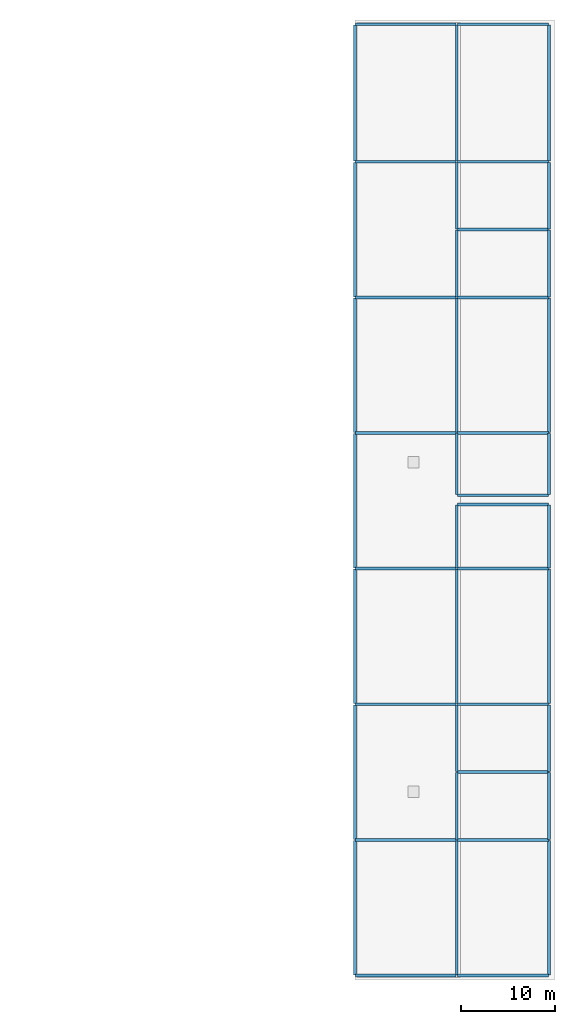
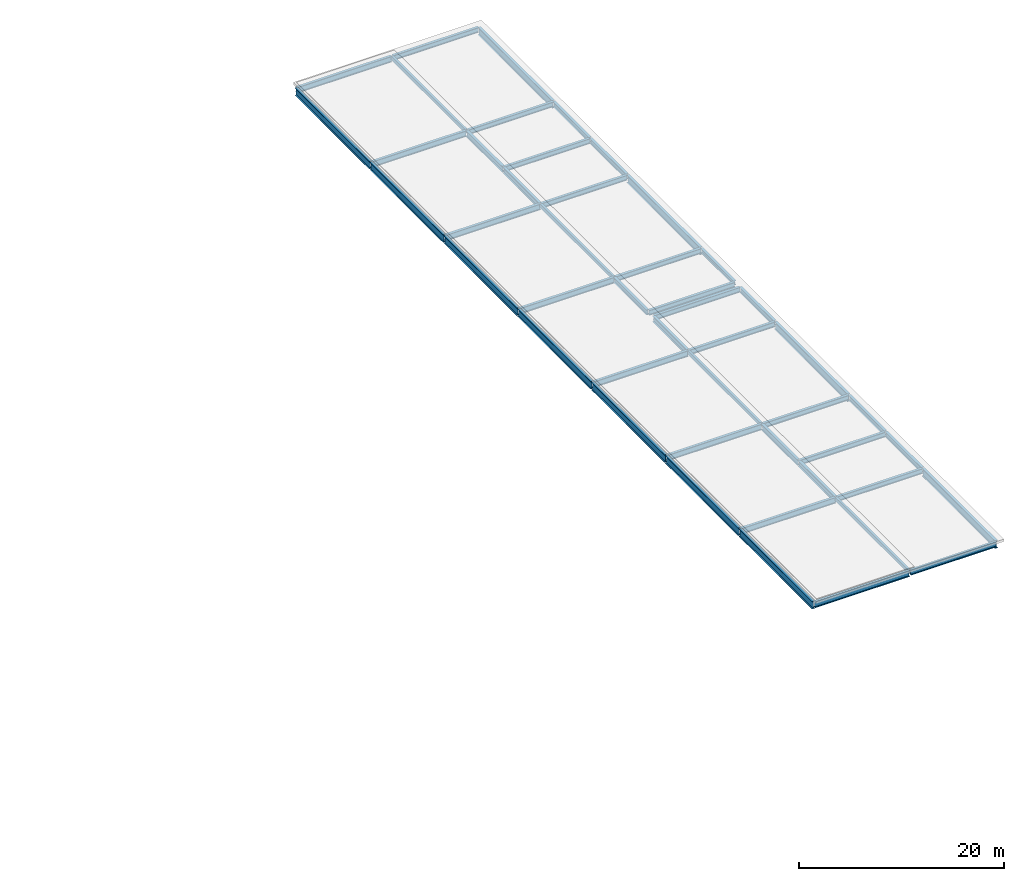
# One storey, part 8 of 19: 47 beams.
"""IFC4 building model written with IfcOpenShell, lengths in metres."""

from ifc_helpers import new_model, si_unit, direction, frame, origin, origin_2d, place, context, subcontext, project, spatial, hollow_rectangle, i_section, extrude, material, material_profile, profile_set, type_object, element, save


model = new_model("IFC4")

# Units and contexts
model_context = context("Model", 3, precision=1e-05, world=origin(), true_north=direction((0.0, 1.0)))
body_context = subcontext(model_context, "Body", "Model", "MODEL_VIEW")
ifc_project = project(units=[si_unit("LENGTHUNIT", "METRE"), si_unit("AREAUNIT", "SQUARE_METRE"), si_unit("VOLUMEUNIT", "CUBIC_METRE"), si_unit("PLANEANGLEUNIT", "RADIAN"), si_unit("MASSUNIT", "GRAM", prefix="KILO")], contexts=[model_context])

# Site, building, storey
site_placement = place(None, origin())
site = spatial("IfcSite", under=ifc_project, at=site_placement, CompositionType="ELEMENT")
building_placement = place(site_placement, origin())
building = spatial("IfcBuilding", under=site, at=building_placement, Name="Koshinbarg Plaza Stadium", CompositionType="ELEMENT")
storey_placement = place(building_placement, frame((0.0, 0.0, 29.39990234375)))
storey = spatial("IfcBuildingStorey", under=building, at=storey_placement, Name="L06", CompositionType="ELEMENT", Elevation=29.39990234375)

# Beams
ifc_material = material(Name="Steel S355", Category="steel")
ifc_material_profile_1 = material_profile(ifc_material, i_section(OverallWidth=0.300048828125, OverallDepth=0.5, WebThickness=0.014404296875, FlangeThickness=0.028076171875, at=origin_2d()), Name="HEB 500")
ifc_profile_set_1 = profile_set([ifc_material_profile_1], Name="Steel S355")
beam_type_1 = type_object("IfcBeamType", Name="BM-SGIR-01", PredefinedType="USERDEFINED", material=ifc_profile_set_1)
beam_1_placement = place(storey_placement, frame((218.39990234375, 76.56005859375, -0.5498046875), z_axis=(0.0, 1.0, 0.0), x_axis=(-1.0, 0.0, 0.0)))
element("IfcBeam", 1, at=beam_1_placement, inside=storey, type_object=beam_type_1, Name="L06 Y girder 21/L-M", ObjectType="GIRDER", PredefinedType="USERDEFINED", context=body_context, shape_type="SweptSolid", body=[
    extrude(i_section(OverallWidth=0.300048828125, OverallDepth=0.5, WebThickness=0.014404296875, FlangeThickness=0.028076171875, at=origin_2d()), origin(), (0.0, 0.0, 1.0), 6.47998046875),
])
ifc_material_profile_2 = material_profile(ifc_material, i_section(OverallWidth=0.300048828125, OverallDepth=0.60009765625, WebThickness=0.015380859375, FlangeThickness=0.030029296875, at=origin_2d()), Name="HEB 600")
ifc_profile_set_2 = profile_set([ifc_material_profile_2], Name="Steel S355")
beam_type_2 = type_object("IfcBeamType", Name="BM-SGIR-02", PredefinedType="USERDEFINED", material=ifc_profile_set_2)
for number, where, z_axis, x_axis, name in (
    (2, (208.659912109375, 25.5, -0.599853515625), (1.0, 0.0, 0.0), (0.0, 1.0, 0.0), "L06 X girder E/20-21"),
    (3, (208.659912109375, 39.89990234375, -0.599853515625), (1.0, 0.0, 0.0), (0.0, 1.0, 0.0), "L06 X girder F/20-21"),
    (4, (208.659912109375, 47.10009765625, -0.599853515625), (1.0, 0.0, 0.0), (0.0, 1.0, 0.0), "L06 X girder G/20-21"),
    (5, (208.659912109375, 54.300048828125, -0.599853515625), (1.0, 0.0, 0.0), (0.0, 1.0, 0.0), "L06 X girder H/20-21"),
    (6, (208.659912109375, 68.699951171875, -0.599853515625), (1.0, 0.0, 0.0), (0.0, 1.0, 0.0), "L06 X girder J/20-21"),
    (7, (208.659912109375, 75.5, -0.599853515625), (1.0, 0.0, 0.0), (0.0, 1.0, 0.0), "L06 X girder K/20-21"),
    (8, (208.659912109375, 76.5, -0.599853515625), (1.0, 0.0, 0.0), (0.0, 1.0, 0.0), "L06 X girder L/20-21"),
    (9, (208.659912109375, 83.10009765625, -0.599853515625), (1.0, 0.0, 0.0), (0.0, 1.0, 0.0), "L06 X girder M/20-21"),
    (10, (208.659912109375, 97.5, -0.599853515625), (1.0, 0.0, 0.0), (0.0, 1.0, 0.0), "L06 X girder N/20-21"),
    (11, (208.659912109375, 104.699951171875, -0.599853515625), (1.0, 0.0, 0.0), (0.0, 1.0, 0.0), "L06 X girder P/20-21"),
    (12, (208.659912109375, 111.89990234375, -0.599853515625), (1.0, 0.0, 0.0), (0.0, 1.0, 0.0), "L06 X girder Q/20-21"),
    (13, (208.659912109375, 126.5, -0.599853515625), (1.0, 0.0, 0.0), (0.0, 1.0, 0.0), "L06 X girder R/20-21"),
):
    element("IfcBeam", number, at=place(storey_placement, frame(where, z_axis=z_axis, x_axis=x_axis)), inside=storey, type_object=beam_type_2, Name=name, ObjectType="GIRDER", PredefinedType="USERDEFINED", context=body_context, shape_type="SweptSolid", body=[
        extrude(i_section(OverallWidth=0.300048828125, OverallDepth=0.60009765625, WebThickness=0.015380859375, FlangeThickness=0.030029296875, at=origin_2d()), origin(), (0.0, 0.0, 1.0), 9.68017578125),
    ])
beam_2_placement = place(storey_placement, frame((208.60009765625, 76.56005859375, -0.599853515625), z_axis=(0.0, 1.0, 0.0), x_axis=(-1.0, 0.0, 0.0)))
element("IfcBeam", 14, at=beam_2_placement, inside=storey, type_object=beam_type_2, Name="L06 Y girder 20/L-M", ObjectType="GIRDER", PredefinedType="USERDEFINED", context=body_context, shape_type="SweptSolid", body=[
    extrude(i_section(OverallWidth=0.300048828125, OverallDepth=0.60009765625, WebThickness=0.015380859375, FlangeThickness=0.030029296875, at=origin_2d()), origin(), (0.0, 0.0, 1.0), 6.47998046875),
])
for number, where, z_axis, x_axis, name in (
    (15, (218.39990234375, 39.9599609375, -0.599853515625), (0.0, 1.0, 0.0), (-1.0, 0.0, 0.0), "L06 Y girder 21/F-G"),
    (16, (218.39990234375, 47.159912109375, -0.599853515625), (0.0, 1.0, 0.0), (-1.0, 0.0, 0.0), "L06 Y girder 21/G-H"),
):
    element("IfcBeam", number, at=place(storey_placement, frame(where, z_axis=z_axis, x_axis=x_axis)), inside=storey, type_object=beam_type_2, Name=name, ObjectType="GIRDER", PredefinedType="USERDEFINED", context=body_context, shape_type="SweptSolid", body=[
        extrude(i_section(OverallWidth=0.300048828125, OverallDepth=0.60009765625, WebThickness=0.015380859375, FlangeThickness=0.030029296875, at=origin_2d()), origin(), (0.0, 0.0, 1.0), 7.080078125),
    ])
beam_3_placement = place(storey_placement, frame((218.39990234375, 68.760009765625, -0.599853515625), z_axis=(0.0, 1.0, 0.0), x_axis=(-1.0, 0.0, 0.0)))
element("IfcBeam", 17, at=beam_3_placement, inside=storey, type_object=beam_type_2, Name="L06 Y girder 21/J-K", ObjectType="GIRDER", PredefinedType="USERDEFINED", context=body_context, shape_type="SweptSolid", body=[
    extrude(i_section(OverallWidth=0.300048828125, OverallDepth=0.60009765625, WebThickness=0.015380859375, FlangeThickness=0.030029296875, at=origin_2d()), origin(), (0.0, 0.0, 1.0), 6.679931640625),
])
beam_4_placement = place(storey_placement, frame((218.39990234375, 97.56005859375, -0.599853515625), z_axis=(0.0, 1.0, 0.0), x_axis=(-1.0, 0.0, 0.0)))
element("IfcBeam", 18, at=beam_4_placement, inside=storey, type_object=beam_type_2, Name="L06 Y girder 21/N-P", ObjectType="GIRDER", PredefinedType="USERDEFINED", context=body_context, shape_type="SweptSolid", body=[
    extrude(i_section(OverallWidth=0.300048828125, OverallDepth=0.60009765625, WebThickness=0.015380859375, FlangeThickness=0.030029296875, at=origin_2d()), origin(), (0.0, 0.0, 1.0), 7.079833984375),
])
beam_5_placement = place(storey_placement, frame((218.39990234375, 104.760009765625, -0.599853515625), z_axis=(0.0, 1.0, 0.0), x_axis=(-1.0, 0.0, 0.0)))
element("IfcBeam", 19, at=beam_5_placement, inside=storey, type_object=beam_type_2, Name="L06 Y girder 21/P-Q", ObjectType="GIRDER", PredefinedType="USERDEFINED", context=body_context, shape_type="SweptSolid", body=[
    extrude(i_section(OverallWidth=0.300048828125, OverallDepth=0.60009765625, WebThickness=0.015380859375, FlangeThickness=0.030029296875, at=origin_2d()), origin(), (0.0, 0.0, 1.0), 7.080078125),
])
ifc_material_profile_3 = material_profile(ifc_material, i_section(OverallWidth=0.300048828125, OverallDepth=0.699951171875, WebThickness=0.01708984375, FlangeThickness=0.031982421875, at=origin_2d()), Name="HEB 700")
ifc_profile_set_3 = profile_set([ifc_material_profile_3], Name="Steel S355")
beam_type_3 = type_object("IfcBeamType", Name="BM-SGIR-03", PredefinedType="USERDEFINED", material=ifc_profile_set_3)
for number, where, z_axis, x_axis, name in (
    (20, (197.860107421875, 25.5, -0.64990234375), (1.0, 0.0, 0.0), (0.0, 1.0, 0.0), "L06 X girder E/19-20"),
    (21, (197.860107421875, 39.89990234375, -0.64990234375), (1.0, 0.0, 0.0), (0.0, 1.0, 0.0), "L06 X girder F/19-20"),
    (22, (197.860107421875, 54.300048828125, -0.64990234375), (1.0, 0.0, 0.0), (0.0, 1.0, 0.0), "L06 X girder H/19-20"),
    (23, (197.860107421875, 68.699951171875, -0.64990234375), (1.0, 0.0, 0.0), (0.0, 1.0, 0.0), "L06 X girder J/19-20"),
    (24, (197.860107421875, 83.10009765625, -0.64990234375), (1.0, 0.0, 0.0), (0.0, 1.0, 0.0), "L06 X girder M/19-20"),
    (25, (197.860107421875, 97.5, -0.64990234375), (1.0, 0.0, 0.0), (0.0, 1.0, 0.0), "L06 X girder N/19-20"),
    (26, (197.860107421875, 111.89990234375, -0.64990234375), (1.0, 0.0, 0.0), (0.0, 1.0, 0.0), "L06 X girder Q/19-20"),
    (27, (197.860107421875, 126.5, -0.64990234375), (1.0, 0.0, 0.0), (0.0, 1.0, 0.0), "L06 X girder R/19-20"),
):
    element("IfcBeam", number, at=place(storey_placement, frame(where, z_axis=z_axis, x_axis=x_axis)), inside=storey, type_object=beam_type_3, Name=name, ObjectType="GIRDER", PredefinedType="USERDEFINED", context=body_context, shape_type="SweptSolid", body=[
        extrude(i_section(OverallWidth=0.300048828125, OverallDepth=0.699951171875, WebThickness=0.01708984375, FlangeThickness=0.031982421875, at=origin_2d()), origin(), (0.0, 0.0, 1.0), 10.679931640625),
    ])
for number, where, z_axis, x_axis, name in (
    (28, (208.60009765625, 39.9599609375, -0.64990234375), (0.0, 1.0, 0.0), (-1.0, 0.0, 0.0), "L06 Y girder 20/F-G"),
    (29, (208.60009765625, 47.159912109375, -0.64990234375), (0.0, 1.0, 0.0), (-1.0, 0.0, 0.0), "L06 Y girder 20/G-H"),
):
    element("IfcBeam", number, at=place(storey_placement, frame(where, z_axis=z_axis, x_axis=x_axis)), inside=storey, type_object=beam_type_3, Name=name, ObjectType="GIRDER", PredefinedType="USERDEFINED", context=body_context, shape_type="SweptSolid", body=[
        extrude(i_section(OverallWidth=0.300048828125, OverallDepth=0.699951171875, WebThickness=0.01708984375, FlangeThickness=0.031982421875, at=origin_2d()), origin(), (0.0, 0.0, 1.0), 7.080078125),
    ])
beam_6_placement = place(storey_placement, frame((208.60009765625, 68.760009765625, -0.64990234375), z_axis=(0.0, 1.0, 0.0), x_axis=(-1.0, 0.0, 0.0)))
element("IfcBeam", 30, at=beam_6_placement, inside=storey, type_object=beam_type_3, Name="L06 Y girder 20/J-K", ObjectType="GIRDER", PredefinedType="USERDEFINED", context=body_context, shape_type="SweptSolid", body=[
    extrude(i_section(OverallWidth=0.300048828125, OverallDepth=0.699951171875, WebThickness=0.01708984375, FlangeThickness=0.031982421875, at=origin_2d()), origin(), (0.0, 0.0, 1.0), 6.679931640625),
])
beam_7_placement = place(storey_placement, frame((208.60009765625, 97.56005859375, -0.64990234375), z_axis=(0.0, 1.0, 0.0), x_axis=(-1.0, 0.0, 0.0)))
element("IfcBeam", 31, at=beam_7_placement, inside=storey, type_object=beam_type_3, Name="L06 Y girder 20/N-P", ObjectType="GIRDER", PredefinedType="USERDEFINED", context=body_context, shape_type="SweptSolid", body=[
    extrude(i_section(OverallWidth=0.300048828125, OverallDepth=0.699951171875, WebThickness=0.01708984375, FlangeThickness=0.031982421875, at=origin_2d()), origin(), (0.0, 0.0, 1.0), 7.079833984375),
])
beam_8_placement = place(storey_placement, frame((208.60009765625, 104.760009765625, -0.64990234375), z_axis=(0.0, 1.0, 0.0), x_axis=(-1.0, 0.0, 0.0)))
element("IfcBeam", 32, at=beam_8_placement, inside=storey, type_object=beam_type_3, Name="L06 Y girder 20/P-Q", ObjectType="GIRDER", PredefinedType="USERDEFINED", context=body_context, shape_type="SweptSolid", body=[
    extrude(i_section(OverallWidth=0.300048828125, OverallDepth=0.699951171875, WebThickness=0.01708984375, FlangeThickness=0.031982421875, at=origin_2d()), origin(), (0.0, 0.0, 1.0), 7.080078125),
])
ifc_material_profile_4 = material_profile(ifc_material, i_section(OverallWidth=0.300048828125, OverallDepth=0.89990234375, WebThickness=0.0185546875, FlangeThickness=0.034912109375, at=origin_2d()), Name="HEB 900")
ifc_profile_set_4 = profile_set([ifc_material_profile_4], Name="Steel S355")
beam_type_4 = type_object("IfcBeamType", Name="BM-SGIR-05", PredefinedType="USERDEFINED", material=ifc_profile_set_4)
for number, where, z_axis, x_axis, name in (
    (33, (197.800048828125, 25.56005859375, -0.75), (0.0, 1.0, 0.0), (-1.0, 0.0, 0.0), "L06 Y girder 19/E-F"),
    (34, (197.800048828125, 39.9599609375, -0.75), (0.0, 1.0, 0.0), (-1.0, 0.0, 0.0), "L06 Y girder 19/F-H"),
):
    element("IfcBeam", number, at=place(storey_placement, frame(where, z_axis=z_axis, x_axis=x_axis)), inside=storey, type_object=beam_type_4, Name=name, ObjectType="GIRDER", PredefinedType="USERDEFINED", context=body_context, shape_type="SweptSolid", body=[
        extrude(i_section(OverallWidth=0.300048828125, OverallDepth=0.89990234375, WebThickness=0.0185546875, FlangeThickness=0.034912109375, at=origin_2d()), origin(), (0.0, 0.0, 1.0), 14.280029296875),
    ])
beam_9_placement = place(storey_placement, frame((197.800048828125, 54.360107421875, -0.75), z_axis=(0.0, 1.0, 0.0), x_axis=(-1.0, 0.0, 0.0)))
element("IfcBeam", 35, at=beam_9_placement, inside=storey, type_object=beam_type_4, Name="L06 Y girder 19/H-J", ObjectType="GIRDER", PredefinedType="USERDEFINED", context=body_context, shape_type="SweptSolid", body=[
    extrude(i_section(OverallWidth=0.300048828125, OverallDepth=0.89990234375, WebThickness=0.0185546875, FlangeThickness=0.034912109375, at=origin_2d()), origin(), (0.0, 0.0, 1.0), 14.27978515625),
])
for number, where, z_axis, x_axis, name in (
    (36, (197.800048828125, 68.760009765625, -0.75), (0.0, 1.0, 0.0), (-1.0, 0.0, 0.0), "L06 Y girder 19/J-M"),
    (37, (197.800048828125, 83.159912109375, -0.75), (0.0, 1.0, 0.0), (-1.0, 0.0, 0.0), "L06 Y girder 19/M-N"),
    (38, (197.800048828125, 97.56005859375, -0.75), (0.0, 1.0, 0.0), (-1.0, 0.0, 0.0), "L06 Y girder 19/N-Q"),
):
    element("IfcBeam", number, at=place(storey_placement, frame(where, z_axis=z_axis, x_axis=x_axis)), inside=storey, type_object=beam_type_4, Name=name, ObjectType="GIRDER", PredefinedType="USERDEFINED", context=body_context, shape_type="SweptSolid", body=[
        extrude(i_section(OverallWidth=0.300048828125, OverallDepth=0.89990234375, WebThickness=0.0185546875, FlangeThickness=0.034912109375, at=origin_2d()), origin(), (0.0, 0.0, 1.0), 14.280029296875),
    ])
beam_10_placement = place(storey_placement, frame((197.800048828125, 111.9599609375, -0.75), z_axis=(0.0, 1.0, 0.0), x_axis=(-1.0, 0.0, 0.0)))
element("IfcBeam", 39, at=beam_10_placement, inside=storey, type_object=beam_type_4, Name="L06 Y girder 19/Q-R", ObjectType="GIRDER", PredefinedType="USERDEFINED", context=body_context, shape_type="SweptSolid", body=[
    extrude(i_section(OverallWidth=0.300048828125, OverallDepth=0.89990234375, WebThickness=0.0185546875, FlangeThickness=0.034912109375, at=origin_2d()), origin(), (0.0, 0.0, 1.0), 14.47998046875),
])
beam_11_placement = place(storey_placement, frame((218.39990234375, 25.56005859375, -0.75), z_axis=(0.0, 1.0, 0.0), x_axis=(-1.0, 0.0, 0.0)))
element("IfcBeam", 40, at=beam_11_placement, inside=storey, type_object=beam_type_4, Name="L06 Y girder 21/E-F", ObjectType="GIRDER", PredefinedType="USERDEFINED", context=body_context, shape_type="SweptSolid", body=[
    extrude(i_section(OverallWidth=0.300048828125, OverallDepth=0.89990234375, WebThickness=0.0185546875, FlangeThickness=0.034912109375, at=origin_2d()), origin(), (0.0, 0.0, 1.0), 14.280029296875),
])
beam_12_placement = place(storey_placement, frame((218.39990234375, 54.360107421875, -0.75), z_axis=(0.0, 1.0, 0.0), x_axis=(-1.0, 0.0, 0.0)))
element("IfcBeam", 41, at=beam_12_placement, inside=storey, type_object=beam_type_4, Name="L06 Y girder 21/H-J", ObjectType="GIRDER", PredefinedType="USERDEFINED", context=body_context, shape_type="SweptSolid", body=[
    extrude(i_section(OverallWidth=0.300048828125, OverallDepth=0.89990234375, WebThickness=0.0185546875, FlangeThickness=0.034912109375, at=origin_2d()), origin(), (0.0, 0.0, 1.0), 14.27978515625),
])
beam_13_placement = place(storey_placement, frame((218.39990234375, 83.159912109375, -0.75), z_axis=(0.0, 1.0, 0.0), x_axis=(-1.0, 0.0, 0.0)))
element("IfcBeam", 42, at=beam_13_placement, inside=storey, type_object=beam_type_4, Name="L06 Y girder 21/M-N", ObjectType="GIRDER", PredefinedType="USERDEFINED", context=body_context, shape_type="SweptSolid", body=[
    extrude(i_section(OverallWidth=0.300048828125, OverallDepth=0.89990234375, WebThickness=0.0185546875, FlangeThickness=0.034912109375, at=origin_2d()), origin(), (0.0, 0.0, 1.0), 14.280029296875),
])
beam_14_placement = place(storey_placement, frame((218.39990234375, 111.9599609375, -0.75), z_axis=(0.0, 1.0, 0.0), x_axis=(-1.0, 0.0, 0.0)))
element("IfcBeam", 43, at=beam_14_placement, inside=storey, type_object=beam_type_4, Name="L06 Y girder 21/Q-R", ObjectType="GIRDER", PredefinedType="USERDEFINED", context=body_context, shape_type="SweptSolid", body=[
    extrude(i_section(OverallWidth=0.300048828125, OverallDepth=0.89990234375, WebThickness=0.0185546875, FlangeThickness=0.034912109375, at=origin_2d()), origin(), (0.0, 0.0, 1.0), 14.47998046875),
])
ifc_material_profile_5 = material_profile(ifc_material, hollow_rectangle(XDim=0.25, YDim=0.449951171875, WallThickness=0.01611328125, at=origin_2d()), Name="RHS 450x250x16")
ifc_profile_set_5 = profile_set([ifc_material_profile_5], Name="Steel S355")
beam_type_5 = type_object("IfcBeamType", Name="BM-SGIR-06", PredefinedType="USERDEFINED", material=ifc_profile_set_5)
beam_15_placement = place(storey_placement, frame((208.60009765625, 25.56005859375, -0.52490234375), z_axis=(0.0, 1.0, 0.0), x_axis=(-1.0, 0.0, 0.0)))
element("IfcBeam", 44, at=beam_15_placement, inside=storey, type_object=beam_type_5, Name="L06 Y girder 20/E-F", ObjectType="GIRDER", PredefinedType="USERDEFINED", context=body_context, shape_type="SweptSolid", body=[
    extrude(hollow_rectangle(XDim=0.25, YDim=0.449951171875, WallThickness=0.01611328125, at=origin_2d()), origin(), (0.0, 0.0, 1.0), 14.280029296875),
])
beam_16_placement = place(storey_placement, frame((208.60009765625, 54.360107421875, -0.52490234375), z_axis=(0.0, 1.0, 0.0), x_axis=(-1.0, 0.0, 0.0)))
element("IfcBeam", 45, at=beam_16_placement, inside=storey, type_object=beam_type_5, Name="L06 Y girder 20/H-J", ObjectType="GIRDER", PredefinedType="USERDEFINED", context=body_context, shape_type="SweptSolid", body=[
    extrude(hollow_rectangle(XDim=0.25, YDim=0.449951171875, WallThickness=0.01611328125, at=origin_2d()), origin(), (0.0, 0.0, 1.0), 14.27978515625),
])
beam_17_placement = place(storey_placement, frame((208.60009765625, 83.159912109375, -0.52490234375), z_axis=(0.0, 1.0, 0.0), x_axis=(-1.0, 0.0, 0.0)))
element("IfcBeam", 46, at=beam_17_placement, inside=storey, type_object=beam_type_5, Name="L06 Y girder 20/M-N", ObjectType="GIRDER", PredefinedType="USERDEFINED", context=body_context, shape_type="SweptSolid", body=[
    extrude(hollow_rectangle(XDim=0.25, YDim=0.449951171875, WallThickness=0.01611328125, at=origin_2d()), origin(), (0.0, 0.0, 1.0), 14.280029296875),
])
beam_18_placement = place(storey_placement, frame((208.60009765625, 111.9599609375, -0.52490234375), z_axis=(0.0, 1.0, 0.0), x_axis=(-1.0, 0.0, 0.0)))
element("IfcBeam", 47, at=beam_18_placement, inside=storey, type_object=beam_type_5, Name="L06 Y girder 20/Q-R", ObjectType="GIRDER", PredefinedType="USERDEFINED", context=body_context, shape_type="SweptSolid", body=[
    extrude(hollow_rectangle(XDim=0.25, YDim=0.449951171875, WallThickness=0.01611328125, at=origin_2d()), origin(), (0.0, 0.0, 1.0), 14.47998046875),
])

save(model, "model.ifc")
